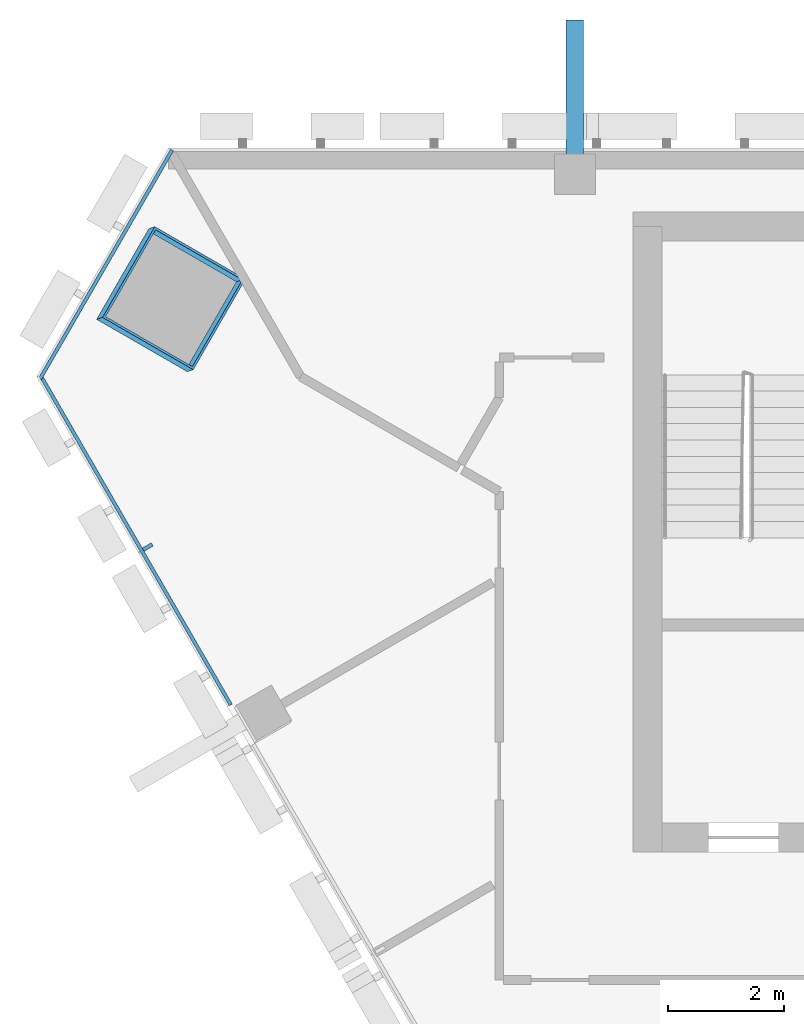
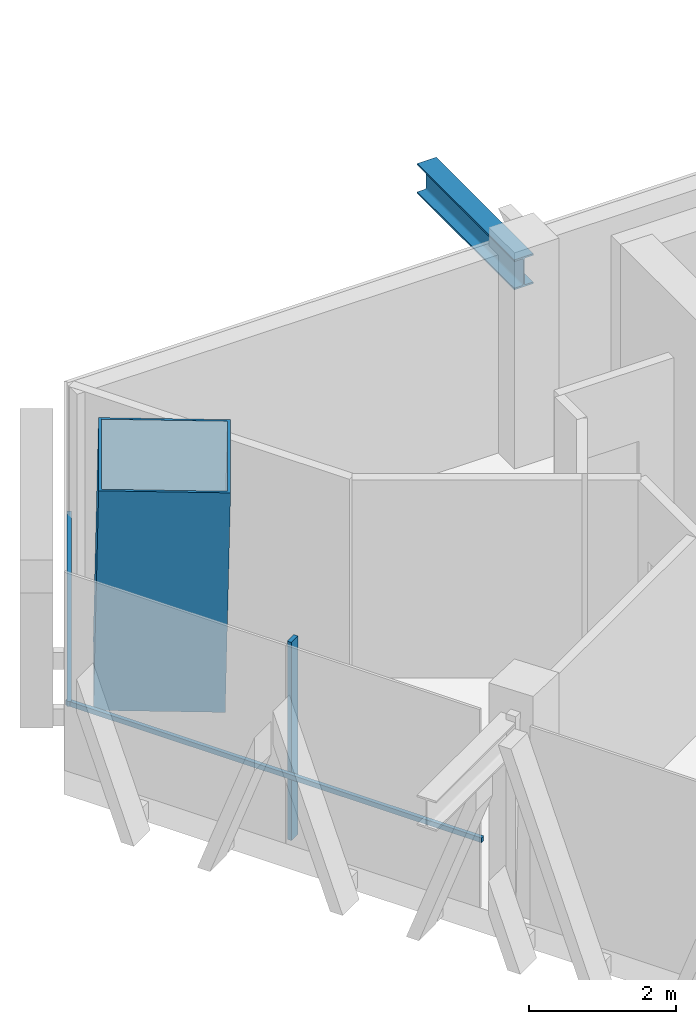
# One storey, part 5 of 12: 5 members, 2 elements without a shape of their own.
"""IFC4 building model written with IfcOpenShell, lengths in metres."""

from ifc_helpers import new_model, si_unit, direction, frame, origin, origin_2d, place, context, subcontext, project, spatial, rectangle, hollow_rectangle, i_section, extrude, material, layer, layer_set, material_profile, profile_set, type_object, element, aggregate, save


model = new_model("IFC4")

# Units and contexts
model_context = context("Model", 3, precision=1e-05, world=origin(), true_north=direction((0.0, 1.0)))
body_context = subcontext(model_context, "Body", "Model", "MODEL_VIEW")
ifc_project = project(units=[si_unit("LENGTHUNIT", "METRE"), si_unit("AREAUNIT", "SQUARE_METRE"), si_unit("VOLUMEUNIT", "CUBIC_METRE"), si_unit("PLANEANGLEUNIT", "RADIAN"), si_unit("MASSUNIT", "GRAM", prefix="KILO")], contexts=[model_context])

# Site, building, storey
site_placement = place(None, origin())
site = spatial("IfcSite", under=ifc_project, at=site_placement, CompositionType="ELEMENT")
building_placement = place(site_placement, origin())
building = spatial("IfcBuilding", under=site, at=building_placement, Name="Altiplano Prism Tower", CompositionType="ELEMENT")
storey_placement = place(building_placement, frame((0.0, 0.0, 282.39990234375)))
storey = spatial("IfcBuildingStorey", under=building, at=storey_placement, Name="L73", CompositionType="ELEMENT", Elevation=282.39990234375)

# Member
ifc_material_1 = material(Name="Steel S355", Category="steel")
ifc_material_profile_1 = material_profile(ifc_material_1, i_section(OverallWidth=0.300048828125, OverallDepth=0.5, WebThickness=0.014404296875, FlangeThickness=0.028076171875, FilletRadius=0.027099609375, at=origin_2d()), Name="Brace bracket HEB 500")
ifc_profile_set_1 = profile_set([ifc_material_profile_1], Name="Steel S355")
member_type_1 = type_object("IfcMemberType", Name="Brace bracket HEB 500", PredefinedType="STRUT", material=ifc_profile_set_1)
member_1_placement = place(storey_placement, frame((71.5, 104.550048828125, 2.9501953125), z_axis=(0.0, 1.0, 0.0), x_axis=(-1.0, 0.0, 0.0)))
element("IfcMember", 1, at=member_1_placement, inside=storey, type_object=member_type_1, Name="Brace bracket 0.286", PredefinedType="STRUT", context=body_context, shape_type="SweptSolid", body=[
    extrude(i_section(OverallWidth=0.300048828125, OverallDepth=0.5, WebThickness=0.014404296875, FlangeThickness=0.028076171875, FilletRadius=0.027099609375, at=origin_2d()), origin(), (0.0, 0.0, 1.0), 2.64990234375),
])

# Curtain wall, member
ifc_material_2 = material(Name="Aluminium and glass", Category="aluminium")
ifc_layer = layer(ifc_material_2, 0.280029296875)
ifc_layer_set = layer_set([ifc_layer], Name="Aluminium and glass")
curtain_wall_type = type_object("IfcCurtainWallType", Name="CW1 typical co-living unitised curtain wall", PredefinedType="NOTDEFINED", material=ifc_layer_set)
curtain_wall_1_placement = place(storey_placement, origin())
curtain_wall_1 = element("IfcCurtainWall", 2, at=curtain_wall_1_placement, inside=storey, type_object=curtain_wall_type, Name="CW1 curtain wall south-west face L73", PredefinedType="NOTDEFINED")
ifc_material_3 = material(Name="Aluminium", Category="aluminium")
ifc_material_profile_2 = material_profile(ifc_material_3, rectangle(XDim=0.179931640625, YDim=0.06494140625, at=origin_2d()), Name="CW1 mullion 65 x 180")
ifc_profile_set_2 = profile_set([ifc_material_profile_2], Name="Aluminium")
member_type_2 = type_object("IfcMemberType", Name="CW1 mullion 65 x 180", PredefinedType="MULLION", material=ifc_profile_set_2)
member_2_placement = place(storey_placement, frame((64.15673828125, 98.1396484375, 0.0), z_axis=(0.0, 0.0, 1.0), x_axis=(0.866025407982, 0.49999999273, 0.0)))
member_2 = element("IfcMember", 3, at=member_2_placement, type_object=member_type_2, Name="CW1 mullion", PredefinedType="MULLION", context=body_context, shape_type="SweptSolid", body=[
    extrude(rectangle(XDim=0.179931640625, YDim=0.06494140625, at=origin_2d()), origin(), (0.0, 0.0, 1.0), 3.300048828125),
])

curtain_wall_2_placement = place(storey_placement, origin())
curtain_wall_2 = element("IfcCurtainWall", 4, at=curtain_wall_2_placement, inside=storey, type_object=curtain_wall_type, Name="CW1 curtain wall north-west chamfer L73", PredefinedType="NOTDEFINED")
ifc_material_profile_3 = material_profile(ifc_material_3, rectangle(XDim=0.06005859375, YDim=0.080078125, at=origin_2d()), Name="CW1 transom 80 x 60")
ifc_profile_set_3 = profile_set([ifc_material_profile_3], Name="Aluminium")
member_type_3 = type_object("IfcMemberType", Name="CW1 transom 80 x 60", PredefinedType="USERDEFINED", material=ifc_profile_set_3)
member_3_placement = place(storey_placement, frame((64.57666015625, 104.965087890625, 1.10009765625), z_axis=(-0.499997120667, -0.866027066162, 0.0), x_axis=(0.866027066162, -0.499997120667, 0.0)))
member_3 = element("IfcMember", 5, at=member_3_placement, type_object=member_type_3, Name="CW1 transom", ObjectType="TRANSOM", PredefinedType="USERDEFINED", context=body_context, shape_type="SweptSolid", body=[
    extrude(rectangle(XDim=0.06005859375, YDim=0.080078125, at=origin_2d()), origin(), (0.0, 0.0, 1.0), 4.53955078125),
])
aggregate(curtain_wall_2, [member_3])

# Member
member_4_placement = place(storey_placement, frame((62.306884765625, 101.103759765625, 1.10009765625), z_axis=(0.50002125928, -0.866013129385, 0.0), x_axis=(0.866013129385, 0.50002125928, 0.0)))
member_4 = element("IfcMember", 6, at=member_4_placement, type_object=member_type_3, Name="CW1 transom", ObjectType="TRANSOM", PredefinedType="USERDEFINED", context=body_context, shape_type="SweptSolid", body=[
    extrude(rectangle(XDim=0.06005859375, YDim=0.080078125, at=origin_2d()), origin(), (0.0, 0.0, 1.0), 6.553955078125),
])

aggregate(curtain_wall_1, [member_2, member_4])

ifc_material_4 = material(Name="Steel S460", Category="steel")
ifc_material_profile_4 = material_profile(ifc_material_4, hollow_rectangle(XDim=1.800048828125, YDim=1.800048828125, WallThickness=0.0400390625, at=origin_2d()), Name="Mega column tube 1800")
ifc_profile_set_4 = profile_set([ifc_material_profile_4], Name="Steel S460")
member_type_4 = type_object("IfcMemberType", Name="Mega column tube 1800", PredefinedType="POST", material=ifc_profile_set_4)
member_5_placement = place(storey_placement, frame((64.5068359375, 102.38427734375, 0.0), z_axis=(0.028401796786, 0.009286506348, 0.999553449666), x_axis=(-0.866197483961, 0.499302483219, 0.019973708503)))
element("IfcMember", 7, at=member_5_placement, inside=storey, type_object=member_type_4, Name="Mega column tube M0 L73", PredefinedType="POST", context=body_context, shape_type="SweptSolid", body=[
    extrude(hollow_rectangle(XDim=1.800048828125, YDim=1.800048828125, WallThickness=0.0400390625, at=origin_2d()), origin(), (0.0, 0.0, 1.0), 3.601806640625),
])

save(model, "model.ifc")
